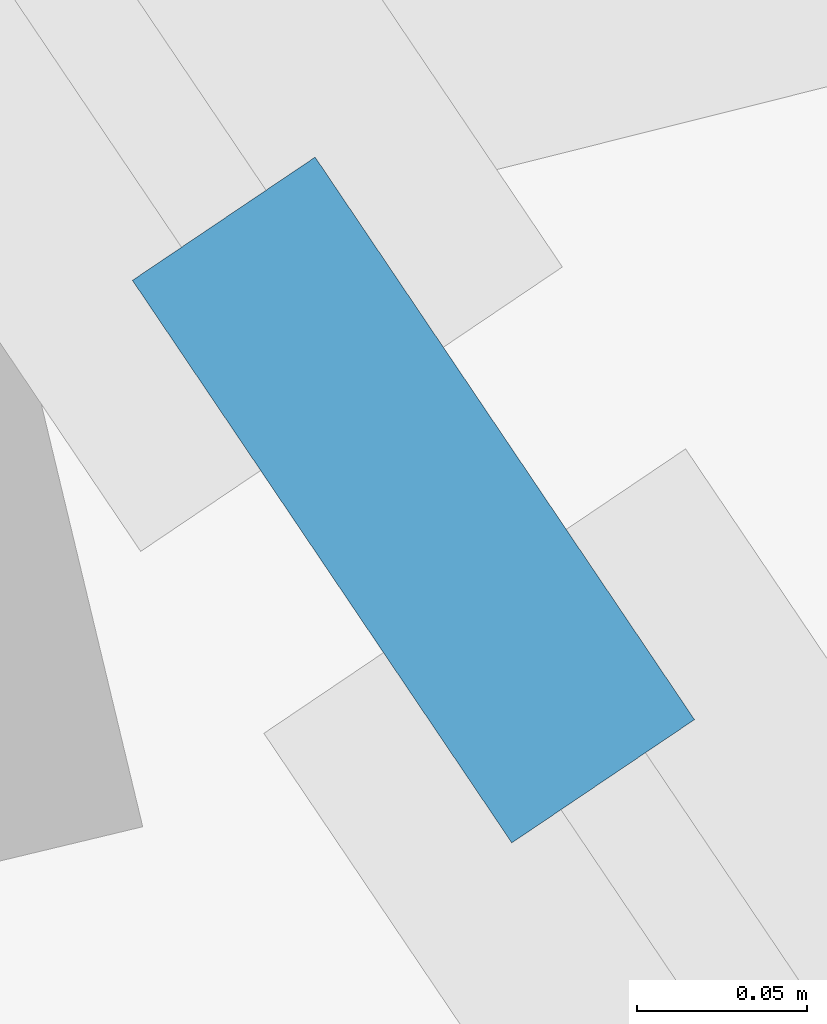
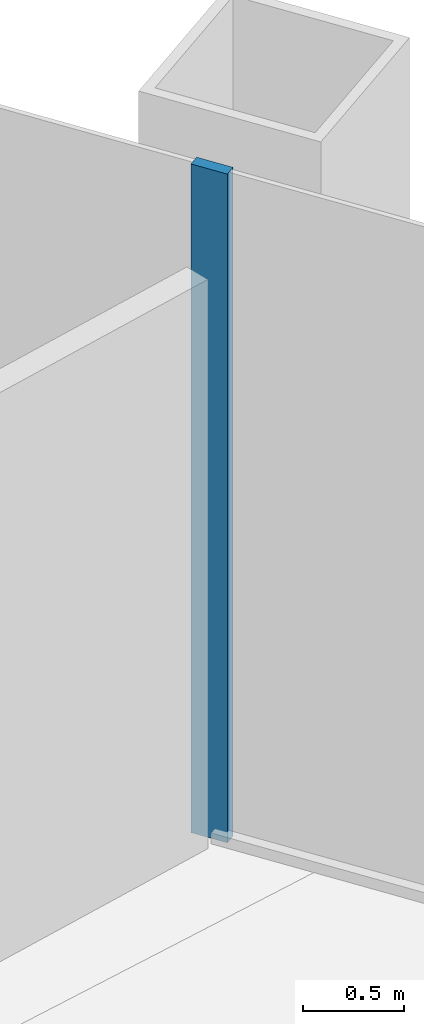
# One storey, part 5 of 14: 1 member, 1 element without a shape of its own.
"""IFC4 building model written with IfcOpenShell, lengths in metres."""

from ifc_helpers import new_model, si_unit, direction, frame, origin, origin_2d, place, context, subcontext, project, spatial, rectangle, extrude, material, material_profile, profile_set, type_object, element, aggregate, save


model = new_model("IFC4")

# Units and contexts
model_context = context("Model", 3, precision=1e-05, world=origin(), true_north=direction((0.0, 1.0)))
body_context = subcontext(model_context, "Body", "Model", "MODEL_VIEW")
ifc_project = project(units=[si_unit("LENGTHUNIT", "METRE"), si_unit("AREAUNIT", "SQUARE_METRE"), si_unit("VOLUMEUNIT", "CUBIC_METRE"), si_unit("PLANEANGLEUNIT", "RADIAN"), si_unit("MASSUNIT", "GRAM", prefix="KILO")], contexts=[model_context])

# Site, building, storey
site_placement = place(None, origin())
site = spatial("IfcSite", under=ifc_project, at=site_placement, CompositionType="ELEMENT")
building_placement = place(site_placement, origin())
building = spatial("IfcBuilding", under=site, at=building_placement, Name="Qingtian Harvest Tower", CompositionType="ELEMENT")
storey_placement = place(building_placement, frame((0.0, 0.0, 235.0)))
storey = spatial("IfcBuildingStorey", under=building, at=storey_placement, Name="L51", CompositionType="ELEMENT", Elevation=235.0)

# Curtain wall, member
ifc_material_1 = material(Name="Bronze-anodised aluminium curtain wall", Category="aluminium")
curtain_wall_type = type_object("IfcCurtainWallType", Name="Curtain wall CW4 office", PredefinedType="USERDEFINED", material=ifc_material_1)
curtain_wall_placement = place(storey_placement, origin())
curtain_wall = element("IfcCurtainWall", 1, at=curtain_wall_placement, inside=storey, type_object=curtain_wall_type, Name="Curtain wall CW4 L51 NE0-5", ObjectType="RECESSED CURTAIN WALL", PredefinedType="USERDEFINED")
ifc_material_2 = material(Name="Bronze-anodised aluminium mullion", Category="aluminium")
ifc_material_profile = material_profile(ifc_material_2, rectangle(XDim=0.06494140625, YDim=0.199951171875, at=origin_2d()), Name="AL 65x200")
ifc_profile_set = profile_set([ifc_material_profile], Name="Bronze-anodised aluminium mullion")
member_type = type_object("IfcMemberType", Name="Mullion CWM 65x200", PredefinedType="MULLION", material=ifc_profile_set)
member_placement = place(storey_placement, frame((23.150390625, 5.55712890625, 0.0), z_axis=(0.0, 0.0, 1.0), x_axis=(0.829037572555, 0.559192903471, 0.0)))
member = element("IfcMember", 2, at=member_placement, type_object=member_type, Name="CW4 mullion 6", PredefinedType="MULLION", context=body_context, shape_type="SweptSolid", body=[
    extrude(rectangle(XDim=0.06494140625, YDim=0.199951171875, at=origin_2d()), origin(), (0.0, 0.0, 1.0), 4.030029296875),
])
aggregate(curtain_wall, [member])

save(model, "model.ifc")
